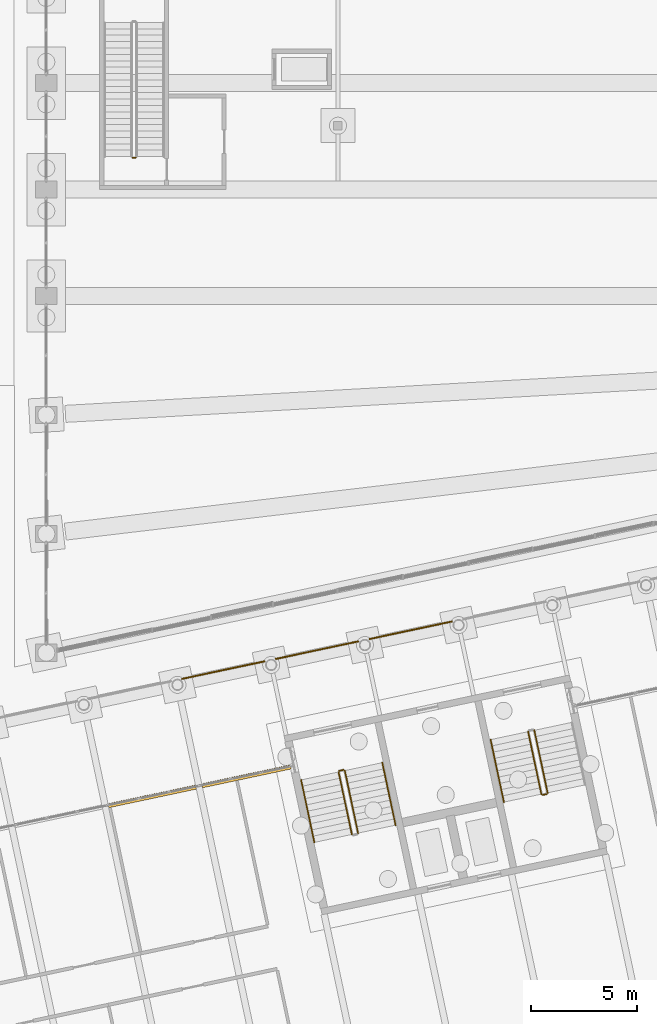
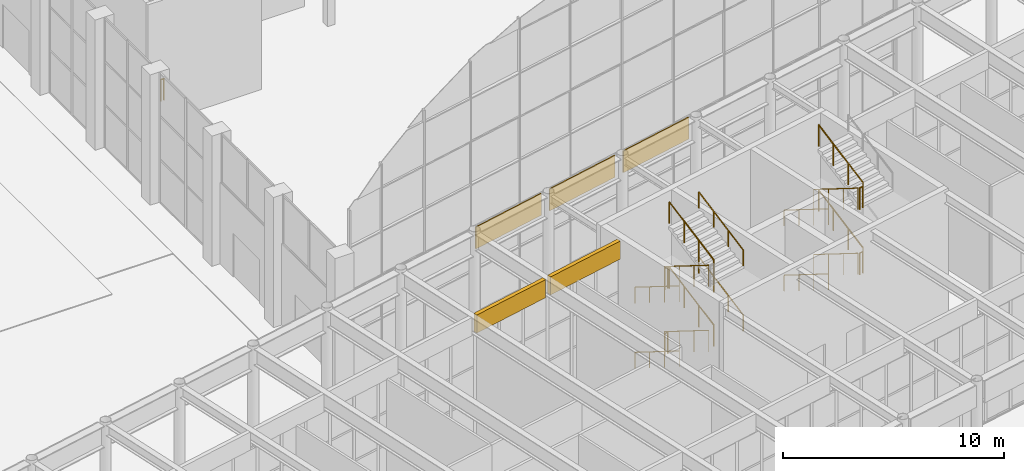
# One storey, part 219 of 239: 19 railings, 5 coverings.
"""IFC4 building model written with IfcOpenShell, lengths in metres."""

from ifc_helpers import new_model, si_unit, direction, frame, origin, origin_2d, place, context, subcontext, project, spatial, rectangle, circle, extrude, material, layer, layer_set, type_object, element, save


model = new_model("IFC4")

# Units and contexts
model_context = context("Model", 3, precision=1e-05, world=origin(), true_north=direction((0.0, 1.0)))
body_context = subcontext(model_context, "Body", "Model", "MODEL_VIEW")
ifc_project = project(units=[si_unit("LENGTHUNIT", "METRE"), si_unit("AREAUNIT", "SQUARE_METRE"), si_unit("VOLUMEUNIT", "CUBIC_METRE"), si_unit("PLANEANGLEUNIT", "RADIAN"), si_unit("MASSUNIT", "GRAM", prefix="KILO")], contexts=[model_context])

# Site, building, storey
site_placement = place(None, origin())
site = spatial("IfcSite", under=ifc_project, at=site_placement, CompositionType="ELEMENT")
building_placement = place(site_placement, origin())
building = spatial("IfcBuilding", under=site, at=building_placement, Name="Okhra Congress Centre", CompositionType="ELEMENT")
storey_placement = place(building_placement, origin())
storey = spatial("IfcBuildingStorey", under=building, at=storey_placement, Name="L00", CompositionType="ELEMENT", Elevation=0.0)

# Coverings
ifc_material_1 = material(Name="Dark bronze anodised aluminium fascia panel", Category="aluminium")
ifc_layer_1 = layer(ifc_material_1, 0.06005859375)
ifc_layer_set_1 = layer_set([ifc_layer_1], Name="Dark bronze fascia strip 60")
covering_type_1 = type_object("IfcCoveringType", Name="Dark bronze fascia strip 60", PredefinedType="CLADDING", material=ifc_layer_set_1)
for number, where, z_axis, x_axis, name in (
    (1, (163.81396484375, 73.43212890625, 5.85009765625), (0.0, 0.0, 1.0), (0.978147600734, 0.207911690818, 0.0), "Girder fascia strip"),
    (2, (168.2158203125, 74.36767578125, 5.85009765625), (0.0, 0.0, 1.0), (0.978147600734, 0.207911690818, 0.0), "Girder fascia strip"),
    (3, (172.617431640625, 75.30322265625, 5.85009765625), (0.0, 0.0, 1.0), (0.978147600734, 0.207911690818, 0.0), "Girder fascia strip"),
):
    element("IfcCovering", number, at=place(storey_placement, frame(where, z_axis=z_axis, x_axis=x_axis)), inside=storey, type_object=covering_type_1, Name=name, PredefinedType="CLADDING", context=body_context, shape_type="SweptSolid", body=[
        extrude(rectangle(XDim=3.991943359375, YDim=0.06005859375, at=origin_2d()), origin(), (0.0, 0.0, 1.0), 1.199951171875),
    ])
ifc_material_2 = material(Name="Insulated metal sandwich panel (mineral wool core)")
ifc_layer_2 = layer(ifc_material_2, 0.199951171875)
ifc_layer_set_2 = layer_set([ifc_layer_2], Name="Insulated fascia cladding panel 200")
covering_type_2 = type_object("IfcCoveringType", Name="Insulated fascia cladding panel 200", PredefinedType="CLADDING", material=ifc_layer_set_2)
covering_1_placement = place(storey_placement, frame((160.473876953125, 67.5029296875, 6.050048828125), z_axis=(0.0, 0.0, 1.0), x_axis=(0.978147600734, 0.207911690818, 0.0)))
element("IfcCovering", 4, at=covering_1_placement, inside=storey, type_object=covering_type_2, Name="Fascia over glazing", PredefinedType="CLADDING", context=body_context, shape_type="SweptSolid", body=[
    extrude(rectangle(XDim=4.199951171875, YDim=0.199951171875, at=origin_2d()), origin(), (0.0, 0.0, 1.0), 1.0),
])
covering_2_placement = place(storey_placement, frame((164.89990234375, 68.44384765625, 6.050048828125), z_axis=(0.0, 0.0, 1.0), x_axis=(0.978147600734, 0.207911690818, 0.0)))
element("IfcCovering", 5, at=covering_2_placement, inside=storey, type_object=covering_type_2, Name="Fascia over glazing", PredefinedType="CLADDING", context=body_context, shape_type="SweptSolid", body=[
    extrude(rectangle(XDim=4.25, YDim=0.199951171875, at=origin_2d()), origin(), (0.0, 0.0, 1.0), 1.0),
])

# Railings
ifc_material_3 = material(Name="Painted steel tube handrail on wall brackets", Category="steel")
railing_type_1 = type_object("IfcRailingType", Name="Steel handrail 900", PredefinedType="HANDRAIL", material=ifc_material_3)
railing_1_placement = place(storey_placement, frame((167.46630859375, 68.273681640625, 0.16357421875)))
element("IfcRailing", 6, at=railing_1_placement, inside=storey, type_object=railing_type_1, Name="L00 BS4A stair handrail 1", PredefinedType="HANDRAIL", context=body_context, shape_type="SweptSolid", body=[
    extrude(circle(Radius=0.02392578125, at=origin_2d()), frame((0.0, 0.0, 0.8759765625), z_axis=(0.182528576341, -0.858705865993, 0.47886068384), x_axis=(0.978146440129, 0.207917150959, 0.0)), (0.0, 0.0, 1.0), 3.41748046875),
    extrude(circle(Radius=0.02099609375, at=origin_2d()), origin(), (0.0, 0.0, 1.0), 0.851806640625),
    extrude(circle(Radius=0.02099609375, at=origin_2d()), frame((0.2080078125, -0.978271484375, 0.54541015625)), (0.0, 0.0, 1.0), 0.851806640625),
    extrude(circle(Radius=0.02099609375, at=origin_2d()), frame((0.415771484375, -1.956298828125, 1.091064453125)), (0.0, 0.0, 1.0), 0.851806640625),
    extrude(circle(Radius=0.02099609375, at=origin_2d()), frame((0.623779296875, -2.9345703125, 1.636474609375)), (0.0, 0.0, 1.0), 0.851806640625),
])
railing_2_placement = place(storey_placement, frame((171.90478515625, 66.150146484375, 1.963623046875)))
element("IfcRailing", 7, at=railing_2_placement, inside=storey, type_object=railing_type_1, Name="L00 BS4A stair handrail 2", PredefinedType="HANDRAIL", context=body_context, shape_type="SweptSolid", body=[
    extrude(circle(Radius=0.02392578125, at=origin_2d()), frame((0.0, 0.0, 0.8759765625), z_axis=(-0.182470709339, 0.858698298962, 0.478896305678), x_axis=(-0.978159471426, -0.207855835762, 0.0)), (0.0, 0.0, 1.0), 3.417236328125),
    extrude(circle(Radius=0.02099609375, at=origin_2d()), origin(), (0.0, 0.0, 1.0), 0.851806640625),
    extrude(circle(Radius=0.02099609375, at=origin_2d()), frame((-0.207763671875, 0.97802734375, 0.54541015625)), (0.0, 0.0, 1.0), 0.851806640625),
    extrude(circle(Radius=0.02099609375, at=origin_2d()), frame((-0.415771484375, 1.956298828125, 1.091064453125)), (0.0, 0.0, 1.0), 0.851806640625),
    extrude(circle(Radius=0.02099609375, at=origin_2d()), frame((-0.62353515625, 2.934326171875, 1.636474609375)), (0.0, 0.0, 1.0), 0.851806640625),
])
railing_3_placement = place(storey_placement, frame((167.46630859375, 68.273681640625, 3.763671875)))
element("IfcRailing", 8, at=railing_3_placement, inside=storey, type_object=railing_type_1, Name="L00 BS4A stair handrail 3", PredefinedType="HANDRAIL", context=body_context, shape_type="SweptSolid", body=[
    extrude(circle(Radius=0.02392578125, at=origin_2d()), frame((0.0, 0.0, 0.8759765625), z_axis=(0.182534820441, -0.858735241371, 0.478805622934), x_axis=(0.978146440129, 0.207917150959, 0.0)), (0.0, 0.0, 1.0), 3.417236328125),
    extrude(circle(Radius=0.02099609375, at=origin_2d()), origin(), (0.0, 0.0, 1.0), 0.851806640625),
    extrude(circle(Radius=0.02099609375, at=origin_2d()), frame((0.2080078125, -0.978271484375, 0.54541015625)), (0.0, 0.0, 1.0), 0.851806640625),
    extrude(circle(Radius=0.02099609375, at=origin_2d()), frame((0.415771484375, -1.956298828125, 1.0908203125)), (0.0, 0.0, 1.0), 0.851806640625),
    extrude(circle(Radius=0.02099609375, at=origin_2d()), frame((0.623779296875, -2.9345703125, 1.63623046875)), (0.0, 0.0, 1.0), 0.851806640625),
])
railing_4_placement = place(storey_placement, frame((171.90478515625, 66.150146484375, 5.563720703125)))
element("IfcRailing", 9, at=railing_4_placement, inside=storey, type_object=railing_type_1, Name="L00 BS4A stair handrail 4", PredefinedType="HANDRAIL", context=body_context, shape_type="SweptSolid", body=[
    extrude(circle(Radius=0.02392578125, at=origin_2d()), frame((0.0, 0.0, 0.8759765625), z_axis=(-0.182476952389, 0.858727678452, 0.478841243114), x_axis=(-0.978159471426, -0.207855835762, 0.0)), (0.0, 0.0, 1.0), 3.4169921875),
    extrude(circle(Radius=0.02099609375, at=origin_2d()), origin(), (0.0, 0.0, 1.0), 0.851806640625),
    extrude(circle(Radius=0.02099609375, at=origin_2d()), frame((-0.207763671875, 0.97802734375, 0.54541015625)), (0.0, 0.0, 1.0), 0.851806640625),
    extrude(circle(Radius=0.02099609375, at=origin_2d()), frame((-0.415771484375, 1.956298828125, 1.0908203125)), (0.0, 0.0, 1.0), 0.851806640625),
    extrude(circle(Radius=0.02099609375, at=origin_2d()), frame((-0.62353515625, 2.934326171875, 1.63623046875)), (0.0, 0.0, 1.0), 0.851806640625),
])
railing_5_placement = place(storey_placement, frame((176.367431640625, 70.16552734375, 0.16357421875)))
element("IfcRailing", 10, at=railing_5_placement, inside=storey, type_object=railing_type_1, Name="L00 BS4B stair handrail 1", PredefinedType="HANDRAIL", context=body_context, shape_type="SweptSolid", body=[
    extrude(circle(Radius=0.02392578125, at=origin_2d()), frame((0.0, 0.0, 0.8759765625), z_axis=(0.182539774255, -0.858687102456, 0.478890061383), x_axis=(0.978142921837, 0.207933702079, 0.0)), (0.0, 0.0, 1.0), 3.417236328125),
    extrude(circle(Radius=0.02099609375, at=origin_2d()), origin(), (0.0, 0.0, 1.0), 0.851806640625),
    extrude(circle(Radius=0.02099609375, at=origin_2d()), frame((0.2080078125, -0.97802734375, 0.54541015625)), (0.0, 0.0, 1.0), 0.851806640625),
    extrude(circle(Radius=0.02099609375, at=origin_2d()), frame((0.415771484375, -1.956298828125, 1.091064453125)), (0.0, 0.0, 1.0), 0.851806640625),
    extrude(circle(Radius=0.02099609375, at=origin_2d()), frame((0.623779296875, -2.934326171875, 1.636474609375)), (0.0, 0.0, 1.0), 0.851806640625),
])
railing_6_placement = place(storey_placement, frame((176.367431640625, 70.16552734375, 3.763671875)))
element("IfcRailing", 11, at=railing_6_placement, inside=storey, type_object=railing_type_1, Name="L00 BS4B stair handrail 3", PredefinedType="HANDRAIL", context=body_context, shape_type="SweptSolid", body=[
    extrude(circle(Radius=0.02392578125, at=origin_2d()), frame((0.0, 0.0, 0.8759765625), z_axis=(0.182546019505, -0.858716480796, 0.478834999109), x_axis=(0.978142921837, 0.207933702079, 0.0)), (0.0, 0.0, 1.0), 3.4169921875),
    extrude(circle(Radius=0.02099609375, at=origin_2d()), origin(), (0.0, 0.0, 1.0), 0.851806640625),
    extrude(circle(Radius=0.02099609375, at=origin_2d()), frame((0.2080078125, -0.97802734375, 0.54541015625)), (0.0, 0.0, 1.0), 0.851806640625),
    extrude(circle(Radius=0.02099609375, at=origin_2d()), frame((0.415771484375, -1.956298828125, 1.0908203125)), (0.0, 0.0, 1.0), 0.851806640625),
    extrude(circle(Radius=0.02099609375, at=origin_2d()), frame((0.623779296875, -2.934326171875, 1.63623046875)), (0.0, 0.0, 1.0), 0.851806640625),
])
ifc_material_4 = material(Name="Painted steel tube guard with vertical steel balusters", Category="steel")
railing_type_2 = type_object("IfcRailingType", Name="Steel stair guard 1200", PredefinedType="GUARDRAIL", material=ifc_material_4)
railing_7_placement = place(storey_placement, frame((169.22705078125, 68.64794921875, 0.16357421875)))
element("IfcRailing", 12, at=railing_7_placement, inside=storey, type_object=railing_type_2, Name="L00 BS4A stair guard 1", PredefinedType="GUARDRAIL", context=body_context, shape_type="SweptSolid", body=[
    extrude(circle(Radius=0.02392578125, at=origin_2d()), frame((0.0, 0.0, 1.17578125), z_axis=(0.182528576341, -0.858705865993, 0.47886068384), x_axis=(0.978146440129, 0.207917150959, 0.0)), (0.0, 0.0, 1.0), 3.41748046875),
    extrude(circle(Radius=0.02099609375, at=origin_2d()), origin(), (0.0, 0.0, 1.0), 1.15185546875),
    extrude(circle(Radius=0.02099609375, at=origin_2d()), frame((0.2080078125, -0.978271484375, 0.54541015625)), (0.0, 0.0, 1.0), 1.15185546875),
    extrude(circle(Radius=0.02099609375, at=origin_2d()), frame((0.415771484375, -1.956298828125, 1.091064453125)), (0.0, 0.0, 1.0), 1.15185546875),
    extrude(circle(Radius=0.02099609375, at=origin_2d()), frame((0.623779296875, -2.9345703125, 1.636474609375)), (0.0, 0.0, 1.0), 1.15185546875),
])
railing_8_placement = place(storey_placement, frame((170.144287109375, 65.77587890625, 1.963623046875)))
element("IfcRailing", 13, at=railing_8_placement, inside=storey, type_object=railing_type_2, Name="L00 BS4A stair guard 3", PredefinedType="GUARDRAIL", context=body_context, shape_type="SweptSolid", body=[
    extrude(circle(Radius=0.02392578125, at=origin_2d()), frame((0.0, 0.0, 1.17578125), z_axis=(-0.182539774255, 0.858687102456, 0.478890061383), x_axis=(-0.978142921837, -0.207933702079, 0.0)), (0.0, 0.0, 1.0), 3.417236328125),
    extrude(circle(Radius=0.02099609375, at=origin_2d()), origin(), (0.0, 0.0, 1.0), 1.15185546875),
    extrude(circle(Radius=0.02099609375, at=origin_2d()), frame((-0.2080078125, 0.97802734375, 0.54541015625)), (0.0, 0.0, 1.0), 1.15185546875),
    extrude(circle(Radius=0.02099609375, at=origin_2d()), frame((-0.415771484375, 1.956298828125, 1.091064453125)), (0.0, 0.0, 1.0), 1.15185546875),
    extrude(circle(Radius=0.02099609375, at=origin_2d()), frame((-0.623779296875, 2.934326171875, 1.636474609375)), (0.0, 0.0, 1.0), 1.15185546875),
])
railing_9_placement = place(storey_placement, frame((169.265625, 68.707275390625, 3.60009765625)))
element("IfcRailing", 14, at=railing_9_placement, inside=storey, type_object=railing_type_2, Name="L00 BS4A stair guard 4", PredefinedType="GUARDRAIL", context=body_context, shape_type="SweptSolid", body=[
    extrude(circle(Radius=0.02392578125, at=origin_2d()), frame((0.0, 0.0, 1.17578125), z_axis=(0.978211583308, 0.207610448392, 0.0), x_axis=(-0.207610448392, 0.978211583308, 0.0)), (0.0, 0.0, 1.0), 0.199951171875),
    extrude(circle(Radius=0.02099609375, at=origin_2d()), origin(), (0.0, 0.0, 1.0), 1.15185546875),
    extrude(circle(Radius=0.02099609375, at=origin_2d()), frame((0.195556640625, 0.04150390625, 0.0)), (0.0, 0.0, 1.0), 1.15185546875),
])
railing_10_placement = place(storey_placement, frame((169.22705078125, 68.64794921875, 3.763671875)))
element("IfcRailing", 15, at=railing_10_placement, inside=storey, type_object=railing_type_2, Name="L00 BS4A stair guard 5", PredefinedType="GUARDRAIL", context=body_context, shape_type="SweptSolid", body=[
    extrude(circle(Radius=0.02392578125, at=origin_2d()), frame((0.0, 0.0, 1.17578125), z_axis=(0.182534820441, -0.858735241371, 0.478805622934), x_axis=(0.978146440129, 0.207917150959, 0.0)), (0.0, 0.0, 1.0), 3.417236328125),
    extrude(circle(Radius=0.02099609375, at=origin_2d()), origin(), (0.0, 0.0, 1.0), 1.15185546875),
    extrude(circle(Radius=0.02099609375, at=origin_2d()), frame((0.2080078125, -0.978271484375, 0.54541015625)), (0.0, 0.0, 1.0), 1.15185546875),
    extrude(circle(Radius=0.02099609375, at=origin_2d()), frame((0.415771484375, -1.956298828125, 1.0908203125)), (0.0, 0.0, 1.0), 1.15185546875),
    extrude(circle(Radius=0.02099609375, at=origin_2d()), frame((0.623779296875, -2.9345703125, 1.63623046875)), (0.0, 0.0, 1.0), 1.15185546875),
])
railing_11_placement = place(storey_placement, frame((170.144287109375, 65.77587890625, 5.563720703125)))
element("IfcRailing", 16, at=railing_11_placement, inside=storey, type_object=railing_type_2, Name="L00 BS4A stair guard 7", PredefinedType="GUARDRAIL", context=body_context, shape_type="SweptSolid", body=[
    extrude(circle(Radius=0.02392578125, at=origin_2d()), frame((0.0, 0.0, 1.17578125), z_axis=(-0.182546019505, 0.858716480796, 0.478834999109), x_axis=(-0.978142921837, -0.207933702079, 0.0)), (0.0, 0.0, 1.0), 3.4169921875),
    extrude(circle(Radius=0.02099609375, at=origin_2d()), origin(), (0.0, 0.0, 1.0), 1.15185546875),
    extrude(circle(Radius=0.02099609375, at=origin_2d()), frame((-0.2080078125, 0.97802734375, 0.54541015625)), (0.0, 0.0, 1.0), 1.15185546875),
    extrude(circle(Radius=0.02099609375, at=origin_2d()), frame((-0.415771484375, 1.956298828125, 1.0908203125)), (0.0, 0.0, 1.0), 1.15185546875),
    extrude(circle(Radius=0.02099609375, at=origin_2d()), frame((-0.623779296875, 2.934326171875, 1.63623046875)), (0.0, 0.0, 1.0), 1.15185546875),
])
railing_12_placement = place(storey_placement, frame((169.265625, 68.707275390625, 0.0)))
element("IfcRailing", 17, at=railing_12_placement, inside=storey, type_object=railing_type_2, Name="L00 BS4A stair guard 8", PredefinedType="GUARDRAIL", context=body_context, shape_type="SweptSolid", body=[
    extrude(circle(Radius=0.02392578125, at=origin_2d()), frame((0.0, 0.0, 1.17578125), z_axis=(0.978211583308, 0.207610448392, 0.0), x_axis=(-0.207610448392, 0.978211583308, 0.0)), (0.0, 0.0, 1.0), 0.199951171875),
    extrude(circle(Radius=0.02099609375, at=origin_2d()), origin(), (0.0, 0.0, 1.0), 1.15185546875),
    extrude(circle(Radius=0.02099609375, at=origin_2d()), frame((0.195556640625, 0.04150390625, 0.0)), (0.0, 0.0, 1.0), 1.15185546875),
])
railing_13_placement = place(storey_placement, frame((178.128173828125, 70.539794921875, 0.16357421875)))
element("IfcRailing", 18, at=railing_13_placement, inside=storey, type_object=railing_type_2, Name="L00 BS4B stair guard 1", PredefinedType="GUARDRAIL", context=body_context, shape_type="SweptSolid", body=[
    extrude(circle(Radius=0.02392578125, at=origin_2d()), frame((0.0, 0.0, 1.17578125), z_axis=(0.182539774255, -0.858687102456, 0.478890061383), x_axis=(0.978142921837, 0.207933702079, 0.0)), (0.0, 0.0, 1.0), 3.417236328125),
    extrude(circle(Radius=0.02099609375, at=origin_2d()), origin(), (0.0, 0.0, 1.0), 1.15185546875),
    extrude(circle(Radius=0.02099609375, at=origin_2d()), frame((0.2080078125, -0.97802734375, 0.54541015625)), (0.0, 0.0, 1.0), 1.15185546875),
    extrude(circle(Radius=0.02099609375, at=origin_2d()), frame((0.415771484375, -1.956298828125, 1.091064453125)), (0.0, 0.0, 1.0), 1.15185546875),
    extrude(circle(Radius=0.02099609375, at=origin_2d()), frame((0.623779296875, -2.934326171875, 1.636474609375)), (0.0, 0.0, 1.0), 1.15185546875),
])
railing_14_placement = place(storey_placement, frame((178.811279296875, 67.56689453125, 1.800048828125)))
element("IfcRailing", 19, at=railing_14_placement, inside=storey, type_object=railing_type_2, Name="L00 BS4B stair guard 2", PredefinedType="GUARDRAIL", context=body_context, shape_type="SweptSolid", body=[
    extrude(circle(Radius=0.02392578125, at=origin_2d()), frame((0.0, 0.0, 1.17578125), z_axis=(0.978211583308, 0.207610448392, 0.0), x_axis=(-0.207610448392, 0.978211583308, 0.0)), (0.0, 0.0, 1.0), 0.199951171875),
    extrude(circle(Radius=0.02099609375, at=origin_2d()), origin(), (0.0, 0.0, 1.0), 1.15185546875),
    extrude(circle(Radius=0.02099609375, at=origin_2d()), frame((0.195556640625, 0.04150390625, 0.0)), (0.0, 0.0, 1.0), 1.15185546875),
])
railing_15_placement = place(storey_placement, frame((179.04541015625, 67.667724609375, 1.963623046875)))
element("IfcRailing", 20, at=railing_15_placement, inside=storey, type_object=railing_type_2, Name="L00 BS4B stair guard 3", PredefinedType="GUARDRAIL", context=body_context, shape_type="SweptSolid", body=[
    extrude(circle(Radius=0.02392578125, at=origin_2d()), frame((0.0, 0.0, 1.17578125), z_axis=(-0.182528576341, 0.858705865993, 0.47886068384), x_axis=(-0.978146440129, -0.207917150959, 0.0)), (0.0, 0.0, 1.0), 3.41748046875),
    extrude(circle(Radius=0.02099609375, at=origin_2d()), origin(), (0.0, 0.0, 1.0), 1.15185546875),
    extrude(circle(Radius=0.02099609375, at=origin_2d()), frame((-0.2080078125, 0.978271484375, 0.54541015625)), (0.0, 0.0, 1.0), 1.15185546875),
    extrude(circle(Radius=0.02099609375, at=origin_2d()), frame((-0.415771484375, 1.956298828125, 1.091064453125)), (0.0, 0.0, 1.0), 1.15185546875),
    extrude(circle(Radius=0.02099609375, at=origin_2d()), frame((-0.623779296875, 2.9345703125, 1.636474609375)), (0.0, 0.0, 1.0), 1.15185546875),
])
railing_16_placement = place(storey_placement, frame((178.128173828125, 70.539794921875, 3.763671875)))
element("IfcRailing", 21, at=railing_16_placement, inside=storey, type_object=railing_type_2, Name="L00 BS4B stair guard 5", PredefinedType="GUARDRAIL", context=body_context, shape_type="SweptSolid", body=[
    extrude(circle(Radius=0.02392578125, at=origin_2d()), frame((0.0, 0.0, 1.17578125), z_axis=(0.182546019505, -0.858716480796, 0.478834999109), x_axis=(0.978142921837, 0.207933702079, 0.0)), (0.0, 0.0, 1.0), 3.4169921875),
    extrude(circle(Radius=0.02099609375, at=origin_2d()), origin(), (0.0, 0.0, 1.0), 1.15185546875),
    extrude(circle(Radius=0.02099609375, at=origin_2d()), frame((0.2080078125, -0.97802734375, 0.54541015625)), (0.0, 0.0, 1.0), 1.15185546875),
    extrude(circle(Radius=0.02099609375, at=origin_2d()), frame((0.415771484375, -1.956298828125, 1.0908203125)), (0.0, 0.0, 1.0), 1.15185546875),
    extrude(circle(Radius=0.02099609375, at=origin_2d()), frame((0.623779296875, -2.934326171875, 1.63623046875)), (0.0, 0.0, 1.0), 1.15185546875),
])
railing_17_placement = place(storey_placement, frame((178.811279296875, 67.56689453125, 5.39990234375)))
element("IfcRailing", 22, at=railing_17_placement, inside=storey, type_object=railing_type_2, Name="L00 BS4B stair guard 6", PredefinedType="GUARDRAIL", context=body_context, shape_type="SweptSolid", body=[
    extrude(circle(Radius=0.02392578125, at=origin_2d()), frame((0.0, 0.0, 1.17578125), z_axis=(0.978211583308, 0.207610448392, 0.0), x_axis=(-0.207610448392, 0.978211583308, 0.0)), (0.0, 0.0, 1.0), 0.199951171875),
    extrude(circle(Radius=0.02099609375, at=origin_2d()), origin(), (0.0, 0.0, 1.0), 1.15185546875),
    extrude(circle(Radius=0.02099609375, at=origin_2d()), frame((0.195556640625, 0.04150390625, 0.0)), (0.0, 0.0, 1.0), 1.15185546875),
])
railing_18_placement = place(storey_placement, frame((179.04541015625, 67.667724609375, 5.563720703125)))
element("IfcRailing", 23, at=railing_18_placement, inside=storey, type_object=railing_type_2, Name="L00 BS4B stair guard 7", PredefinedType="GUARDRAIL", context=body_context, shape_type="SweptSolid", body=[
    extrude(circle(Radius=0.02392578125, at=origin_2d()), frame((0.0, 0.0, 1.17578125), z_axis=(-0.182534820441, 0.858735241371, 0.478805622934), x_axis=(-0.978146440129, -0.207917150959, 0.0)), (0.0, 0.0, 1.0), 3.417236328125),
    extrude(circle(Radius=0.02099609375, at=origin_2d()), origin(), (0.0, 0.0, 1.0), 1.15185546875),
    extrude(circle(Radius=0.02099609375, at=origin_2d()), frame((-0.2080078125, 0.978271484375, 0.54541015625)), (0.0, 0.0, 1.0), 1.15185546875),
    extrude(circle(Radius=0.02099609375, at=origin_2d()), frame((-0.415771484375, 1.956298828125, 1.0908203125)), (0.0, 0.0, 1.0), 1.15185546875),
    extrude(circle(Radius=0.02099609375, at=origin_2d()), frame((-0.623779296875, 2.9345703125, 1.63623046875)), (0.0, 0.0, 1.0), 1.15185546875),
])
railing_19_placement = place(storey_placement, frame((159.699951171875, 97.5, 0.0)))
element("IfcRailing", 24, at=railing_19_placement, inside=storey, type_object=railing_type_2, Name="L00 WG1 stair guard 4", PredefinedType="GUARDRAIL", context=body_context, shape_type="SweptSolid", body=[
    extrude(circle(Radius=0.02392578125, at=origin_2d()), frame((0.0, 0.0, 1.17578125), z_axis=(-1.0, 0.0, 0.0), x_axis=(0.0, -1.0, 0.0)), (0.0, 0.0, 1.0), 0.14990234375),
    extrude(circle(Radius=0.02099609375, at=origin_2d()), origin(), (0.0, 0.0, 1.0), 1.15185546875),
    extrude(circle(Radius=0.02099609375, at=origin_2d()), frame((-0.14990234375, 0.0, 0.0)), (0.0, 0.0, 1.0), 1.15185546875),
])

save(model, "model.ifc")
